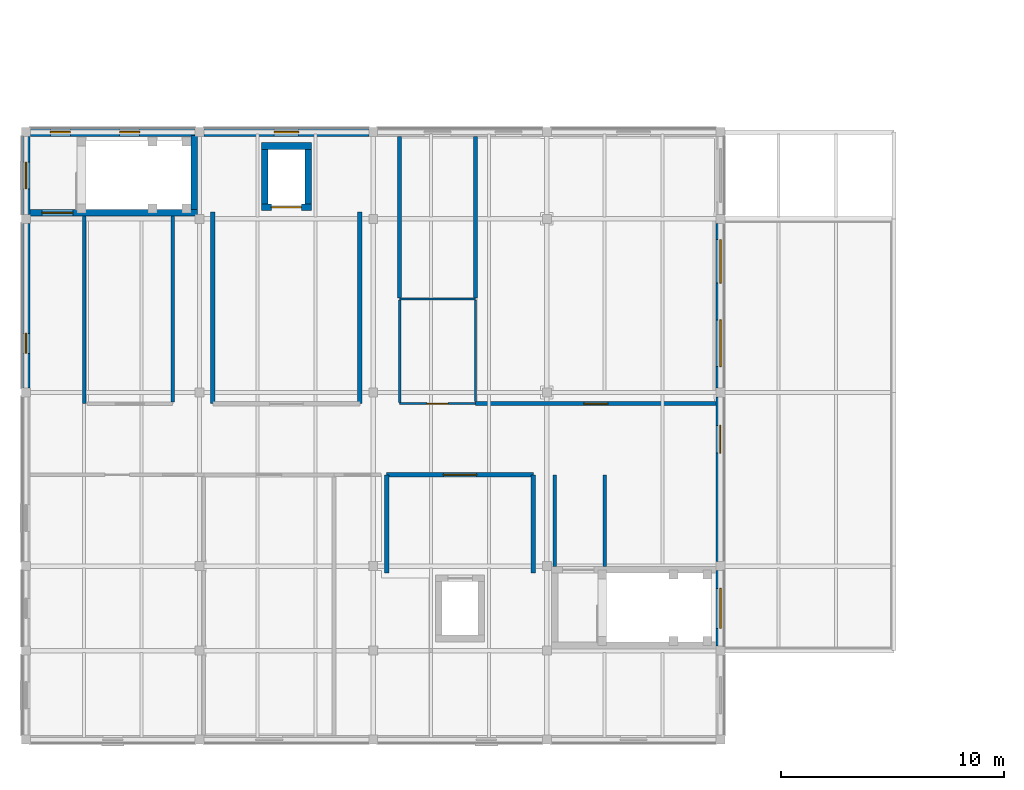
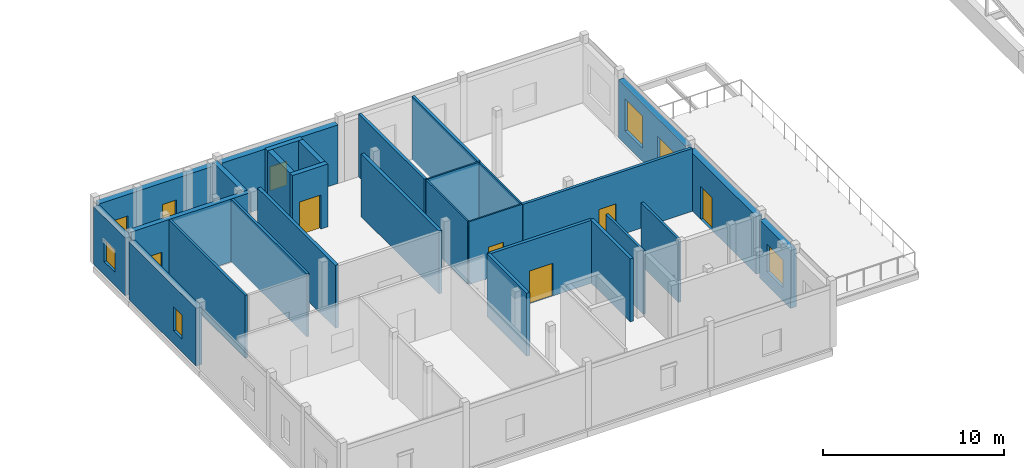
# One storey, part 35 of 45: 29 walls, 8 windows, 6 doors, 14 openings.
"""IFC4 building model written with IfcOpenShell, lengths in metres."""

from ifc_helpers import new_model, si_unit, direction, frame, frame_2d, origin, place, context, subcontext, project, spatial, rectangle, extrude, material, layer, layer_set, type_object, element, fill, save


model = new_model("IFC4")

# Units and contexts
model_context = context("Model", 3, precision=1e-05, world=origin(), true_north=direction((0.0, 1.0)))
body_context = subcontext(model_context, "Body", "Model", "MODEL_VIEW")
ifc_project = project(units=[si_unit("LENGTHUNIT", "METRE"), si_unit("AREAUNIT", "SQUARE_METRE"), si_unit("VOLUMEUNIT", "CUBIC_METRE"), si_unit("PLANEANGLEUNIT", "RADIAN"), si_unit("MASSUNIT", "GRAM", prefix="KILO")], contexts=[model_context])

# Site, building, storey
site_placement = place(None, origin())
site = spatial("IfcSite", under=ifc_project, at=site_placement, CompositionType="ELEMENT")
building_placement = place(site_placement, origin())
building = spatial("IfcBuilding", under=site, at=building_placement, Name="Celorna Specialist Clinic", CompositionType="ELEMENT")
storey_placement = place(building_placement, frame((0.0, 0.0, 18.60009765625)))
storey = spatial("IfcBuildingStorey", under=building, at=storey_placement, Name="L04", CompositionType="ELEMENT", Elevation=18.60009765625)

# Wall, openings, windows
ifc_material_1 = material(Name="Terracotta masonry with insulated cavity", Category="masonry")
ifc_layer_1 = layer(ifc_material_1, 0.3798828125, Name="Terracotta masonry with insulated cavity")
ifc_layer_set_1 = layer_set([ifc_layer_1], Name="Terracotta masonry with insulated cavity")
wall_type_1 = type_object("IfcWallType", Name="WT-06", PredefinedType="STANDARD", material=ifc_layer_set_1)
wall_1_placement = place(storey_placement, frame((0.199951171875, 27.300048828125, 0.0), z_axis=(0.0, 0.0, 1.0), x_axis=(1.0, 0.0, 0.0)))
wall_1 = element("IfcWall", 1, at=wall_1_placement, inside=storey, type_object=wall_type_1, Name="External facade wall WT-06 #364", PredefinedType="STANDARD", context=body_context, shape_type="SweptSolid", body=[
    extrude(rectangle(XDim=7.400146484375, YDim=0.3798828125, at=frame_2d((3.7001953125, 0.0))), origin(), (0.0, 0.0, 1.0), 3.949951171875),
])
opening_1_placement = place(wall_1_placement, frame((0.89501953125, 0.0, 0.89990234375)))
opening_1 = element("IfcOpeningElement", 2, at=opening_1_placement, cuts=wall_1, Name="Opening WN-01", PredefinedType="OPENING", context=body_context, shape_type="SweptSolid", body=[
    extrude(rectangle(XDim=0.89990234375, YDim=1.60009765625, at=frame_2d((0.449951171875, 0.800048828125))), frame((0.0, 0.199951171875, 0.0), z_axis=(0.0, -1.0, 0.0), x_axis=(1.0, 0.0, 0.0)), (0.0, 0.0, 1.0), 0.39990234375),
])
opening_2_placement = place(wall_1_placement, frame((4.010009765625, 0.0, 0.89990234375)))
opening_2 = element("IfcOpeningElement", 3, at=opening_2_placement, cuts=wall_1, Name="Opening WN-01", PredefinedType="OPENING", context=body_context, shape_type="SweptSolid", body=[
    extrude(rectangle(XDim=0.89990234375, YDim=1.60009765625, at=frame_2d((0.449951171875, 0.800048828125))), frame((0.0, 0.199951171875, 0.0), z_axis=(0.0, -1.0, 0.0), x_axis=(1.0, 0.0, 0.0)), (0.0, 0.0, 1.0), 0.39990234375),
])
ifc_material_2 = material(Name="Thermally broken aluminium triple-glazed window", Category="aluminium")
window_type_1 = type_object("IfcWindowType", Name="WN-01", PartitioningType="SINGLE_PANEL", PredefinedType="WINDOW", material=ifc_material_2)
window_1_placement = place(opening_1_placement, origin())
window_1 = element("IfcWindow", 4, at=window_1_placement, inside=storey, type_object=window_type_1, Name="Facade window WN-01 #228", OverallHeight=1.60009765625, OverallWidth=0.89990234375, PartitioningType="SINGLE_PANEL", PredefinedType="WINDOW", context=body_context, shape_type="SweptSolid", body=[
    extrude(rectangle(XDim=0.89990234375, YDim=1.60009765625, at=frame_2d((0.449951171875, 0.800048828125))), frame((0.0, 0.030029296875, 0.0), z_axis=(0.0, -1.0, 0.0), x_axis=(1.0, 0.0, 0.0)), (0.0, 0.0, 1.0), 0.06005859375),
])
fill(opening_1, window_1)
window_2_placement = place(opening_2_placement, origin())
window_2 = element("IfcWindow", 5, at=window_2_placement, inside=storey, type_object=window_type_1, Name="Facade window WN-01 #229", OverallHeight=1.60009765625, OverallWidth=0.89990234375, PartitioningType="SINGLE_PANEL", PredefinedType="WINDOW", context=body_context, shape_type="SweptSolid", body=[
    extrude(rectangle(XDim=0.89990234375, YDim=1.60009765625, at=frame_2d((0.449951171875, 0.800048828125))), frame((0.0, 0.030029296875, 0.0), z_axis=(0.0, -1.0, 0.0), x_axis=(1.0, 0.0, 0.0)), (0.0, 0.0, 1.0), 0.06005859375),
])
fill(opening_2, window_2)

# Wall, opening, window
wall_2_placement = place(storey_placement, frame((8.0, 27.300048828125, 0.0), z_axis=(0.0, 0.0, 1.0), x_axis=(1.0, 0.0, 0.0)))
wall_2 = element("IfcWall", 6, at=wall_2_placement, inside=storey, type_object=wall_type_1, Name="External facade wall WT-06 #365", PredefinedType="STANDARD", context=body_context, shape_type="SweptSolid", body=[
    extrude(rectangle(XDim=7.39990234375, YDim=0.3798828125, at=frame_2d((3.699951171875, 0.0))), origin(), (0.0, 0.0, 1.0), 3.949951171875),
])
opening_3_placement = place(wall_2_placement, frame((3.14990234375, 0.0, 0.89990234375)))
opening_3 = element("IfcOpeningElement", 7, at=opening_3_placement, cuts=wall_2, Name="Opening WN-03", PredefinedType="OPENING", context=body_context, shape_type="SweptSolid", body=[
    extrude(rectangle(XDim=1.10009765625, YDim=1.60009765625, at=frame_2d((0.550048828125, 0.800048828125))), frame((0.0, 0.199951171875, 0.0), z_axis=(0.0, -1.0, 0.0), x_axis=(1.0, 0.0, 0.0)), (0.0, 0.0, 1.0), 0.39990234375),
])
window_type_2 = type_object("IfcWindowType", Name="WN-03", PartitioningType="SINGLE_PANEL", PredefinedType="WINDOW", material=ifc_material_2)
window_3_placement = place(opening_3_placement, origin())
window_3 = element("IfcWindow", 8, at=window_3_placement, inside=storey, type_object=window_type_2, Name="Facade window WN-03 #230", OverallHeight=1.60009765625, OverallWidth=1.10009765625, PartitioningType="SINGLE_PANEL", PredefinedType="WINDOW", context=body_context, shape_type="SweptSolid", body=[
    extrude(rectangle(XDim=1.10009765625, YDim=1.60009765625, at=frame_2d((0.550048828125, 0.800048828125))), frame((0.0, 0.030029296875, 0.0), z_axis=(0.0, -1.0, 0.0), x_axis=(1.0, 0.0, 0.0)), (0.0, 0.0, 1.0), 0.06005859375),
])
fill(opening_3, window_3)

wall_3_placement = place(storey_placement, frame((0.0, 15.800048828125, 0.0), z_axis=(0.0, 0.0, 1.0), x_axis=(0.0, 1.0, 0.0)))
wall_3 = element("IfcWall", 9, at=wall_3_placement, inside=storey, type_object=wall_type_1, Name="External facade wall WT-06 #371", PredefinedType="STANDARD", context=body_context, shape_type="SweptSolid", body=[
    extrude(rectangle(XDim=7.39990234375, YDim=0.3798828125, at=frame_2d((3.699951171875, 0.0))), origin(), (0.0, 0.0, 1.0), 3.89990234375),
])
opening_4_placement = place(wall_3_placement, frame((1.56005859375, 0.0, 0.89990234375)))
opening_4 = element("IfcOpeningElement", 10, at=opening_4_placement, cuts=wall_3, Name="Opening WN-01", PredefinedType="OPENING", context=body_context, shape_type="SweptSolid", body=[
    extrude(rectangle(XDim=0.89990234375, YDim=1.60009765625, at=frame_2d((0.449951171875, 0.800048828125))), frame((0.0, 0.199951171875, 0.0), z_axis=(0.0, -1.0, 0.0), x_axis=(1.0, 0.0, 0.0)), (0.0, 0.0, 1.0), 0.39990234375),
])
window_4_placement = place(opening_4_placement, origin())
window_4 = element("IfcWindow", 11, at=window_4_placement, inside=storey, type_object=window_type_1, Name="Facade window WN-01 #237", OverallHeight=1.60009765625, OverallWidth=0.89990234375, PartitioningType="SINGLE_PANEL", PredefinedType="WINDOW", context=body_context, shape_type="SweptSolid", body=[
    extrude(rectangle(XDim=0.89990234375, YDim=1.60009765625, at=frame_2d((0.449951171875, 0.800048828125))), frame((0.0, 0.030029296875, 0.0), z_axis=(0.0, -1.0, 0.0), x_axis=(1.0, 0.0, 0.0)), (0.0, 0.0, 1.0), 0.06005859375),
])
fill(opening_4, window_4)

wall_4_placement = place(storey_placement, frame((0.0, 23.60009765625, 0.0), z_axis=(0.0, 0.0, 1.0), x_axis=(0.0, 1.0, 0.0)))
wall_4 = element("IfcWall", 12, at=wall_4_placement, inside=storey, type_object=wall_type_1, Name="External facade wall WT-06 #372", PredefinedType="STANDARD", context=body_context, shape_type="SweptSolid", body=[
    extrude(rectangle(XDim=3.5, YDim=0.3798828125, at=frame_2d((1.75, 0.0))), origin(), (0.0, 0.0, 1.0), 3.89990234375),
])
opening_5_placement = place(wall_4_placement, frame((1.14990234375, 0.0, 0.89990234375)))
opening_5 = element("IfcOpeningElement", 13, at=opening_5_placement, cuts=wall_4, Name="Opening WN-04", PredefinedType="OPENING", context=body_context, shape_type="SweptSolid", body=[
    extrude(rectangle(XDim=1.199951171875, YDim=1.5, at=frame_2d((0.60009765625, 0.75))), frame((0.0, 0.199951171875, 0.0), z_axis=(0.0, -1.0, 0.0), x_axis=(1.0, 0.0, 0.0)), (0.0, 0.0, 1.0), 0.39990234375),
])
window_type_3 = type_object("IfcWindowType", Name="WN-04", PartitioningType="SINGLE_PANEL", PredefinedType="WINDOW", material=ifc_material_2)
window_5_placement = place(opening_5_placement, origin())
window_5 = element("IfcWindow", 14, at=window_5_placement, inside=storey, type_object=window_type_3, Name="Facade window WN-04 #238", OverallHeight=1.5, OverallWidth=1.199951171875, PartitioningType="SINGLE_PANEL", PredefinedType="WINDOW", context=body_context, shape_type="SweptSolid", body=[
    extrude(rectangle(XDim=1.199951171875, YDim=1.5, at=frame_2d((0.60009765625, 0.75))), frame((0.0, 0.030029296875, 0.0), z_axis=(0.0, -1.0, 0.0), x_axis=(1.0, 0.0, 0.0)), (0.0, 0.0, 1.0), 0.06005859375),
])
fill(opening_5, window_5)

wall_5_placement = place(storey_placement, frame((31.199951171875, 7.60009765625, 0.0), z_axis=(0.0, 0.0, 1.0), x_axis=(0.0, -1.0, 0.0)))
wall_5 = element("IfcWall", 15, at=wall_5_placement, inside=storey, type_object=wall_type_1, Name="External facade wall WT-06 #374", PredefinedType="STANDARD", context=body_context, shape_type="SweptSolid", body=[
    extrude(rectangle(XDim=3.400146484375, YDim=0.3798828125, at=frame_2d((1.7001953125, 0.0))), origin(), (0.0, 0.0, 1.0), 3.89990234375),
])
opening_6_placement = place(wall_5_placement, frame((0.800048828125, 0.0, 0.89990234375)))
opening_6 = element("IfcOpeningElement", 16, at=opening_6_placement, cuts=wall_5, Name="Opening WN-13", PredefinedType="OPENING", context=body_context, shape_type="SweptSolid", body=[
    extrude(rectangle(XDim=1.800048828125, YDim=1.85009765625, at=frame_2d((0.89990234375, 0.925048828125))), frame((0.0, 0.199951171875, 0.0), z_axis=(0.0, -1.0, 0.0), x_axis=(1.0, 0.0, 0.0)), (0.0, 0.0, 1.0), 0.39990234375),
])
window_type_4 = type_object("IfcWindowType", Name="WN-13", PartitioningType="SINGLE_PANEL", PredefinedType="WINDOW", material=ifc_material_2)
window_6_placement = place(opening_6_placement, origin())
window_6 = element("IfcWindow", 17, at=window_6_placement, inside=storey, type_object=window_type_4, Name="Facade window WN-13 #240", OverallHeight=1.85009765625, OverallWidth=1.800048828125, PartitioningType="SINGLE_PANEL", PredefinedType="WINDOW", context=body_context, shape_type="SweptSolid", body=[
    extrude(rectangle(XDim=1.800048828125, YDim=1.85009765625, at=frame_2d((0.89990234375, 0.925048828125))), frame((0.0, 0.030029296875, 0.0), z_axis=(0.0, -1.0, 0.0), x_axis=(1.0, 0.0, 0.0)), (0.0, 0.0, 1.0), 0.06005859375),
])
fill(opening_6, window_6)

# Wall, opening, door
wall_6_placement = place(storey_placement, frame((31.199951171875, 15.39990234375, 0.0), z_axis=(0.0, 0.0, 1.0), x_axis=(0.0, -1.0, 0.0)))
wall_6 = element("IfcWall", 18, at=wall_6_placement, inside=storey, type_object=wall_type_1, Name="External facade wall WT-06 #375", PredefinedType="STANDARD", context=body_context, shape_type="SweptSolid", body=[
    extrude(rectangle(XDim=7.39990234375, YDim=0.3798828125, at=frame_2d((3.699951171875, 0.0))), origin(), (0.0, 0.0, 1.0), 3.89990234375),
])
opening_7_placement = place(wall_6_placement, frame((1.27490234375, 0.0, 0.0)))
opening_7 = element("IfcOpeningElement", 19, at=opening_7_placement, cuts=wall_6, Name="Opening DR-13", PredefinedType="OPENING", context=body_context, shape_type="SweptSolid", body=[
    extrude(rectangle(XDim=1.25, YDim=2.199951171875, at=frame_2d((0.625, 1.10009765625))), frame((0.0, 0.199951171875, 0.0), z_axis=(0.0, -1.0, 0.0), x_axis=(1.0, 0.0, 0.0)), (0.0, 0.0, 1.0), 0.39990234375),
])
ifc_material_3 = material(Name="Thermally broken glazed terrace door")
door_type_1 = type_object("IfcDoorType", Name="DR-13", OperationType="NOTDEFINED", PredefinedType="DOOR", material=ifc_material_3)
door_1_placement = place(opening_7_placement, frame((1.25, 0.0, 0.0), z_axis=(0.0, 0.0, 1.0), x_axis=(-1.0, 0.0, 0.0)))
door_1 = element("IfcDoor", 20, at=door_1_placement, inside=storey, type_object=door_type_1, Name="Terrace access door TER-V5-L04", OperationType="SINGLE_SWING_LEFT", OverallHeight=2.199951171875, OverallWidth=1.25, PredefinedType="DOOR", context=body_context, shape_type="SweptSolid", body=[
    extrude(rectangle(XDim=1.25, YDim=2.199951171875, at=frame_2d((0.625, 1.10009765625))), frame((0.0, 0.02490234375, 0.0), z_axis=(0.0, -1.0, 0.0), x_axis=(1.0, 0.0, 0.0)), (0.0, 0.0, 1.0), 0.050048828125),
])
fill(opening_7, door_1)

# Wall, openings, windows
wall_7_placement = place(storey_placement, frame((31.199951171875, 23.199951171875, 0.0), z_axis=(0.0, 0.0, 1.0), x_axis=(0.0, -1.0, 0.0)))
wall_7 = element("IfcWall", 21, at=wall_7_placement, inside=storey, type_object=wall_type_1, Name="External facade wall WT-06 #376", PredefinedType="STANDARD", context=body_context, shape_type="SweptSolid", body=[
    extrude(rectangle(XDim=7.39990234375, YDim=0.3798828125, at=frame_2d((3.699951171875, 0.0))), origin(), (0.0, 0.0, 1.0), 3.89990234375),
])
opening_8_placement = place(wall_7_placement, frame((0.735107421875, 0.0, 0.89990234375)))
opening_8 = element("IfcOpeningElement", 22, at=opening_8_placement, cuts=wall_7, Name="Opening WN-16", PredefinedType="OPENING", context=body_context, shape_type="SweptSolid", body=[
    extrude(rectangle(XDim=1.949951171875, YDim=2.14990234375, at=frame_2d((0.97509765625, 1.074951171875))), frame((0.0, 0.199951171875, 0.0), z_axis=(0.0, -1.0, 0.0), x_axis=(1.0, 0.0, 0.0)), (0.0, 0.0, 1.0), 0.39990234375),
])
opening_9_placement = place(wall_7_placement, frame((4.340087890625, 0.0, 0.89990234375)))
opening_9 = element("IfcOpeningElement", 23, at=opening_9_placement, cuts=wall_7, Name="Opening WN-17", PredefinedType="OPENING", context=body_context, shape_type="SweptSolid", body=[
    extrude(rectangle(XDim=2.10009765625, YDim=1.800048828125, at=frame_2d((1.050048828125, 0.89990234375))), frame((0.0, 0.199951171875, 0.0), z_axis=(0.0, -1.0, 0.0), x_axis=(1.0, 0.0, 0.0)), (0.0, 0.0, 1.0), 0.39990234375),
])
ifc_material_4 = material(Name="Screen-aligned modular clinic window")
window_type_5 = type_object("IfcWindowType", Name="WN-16", PartitioningType="SINGLE_PANEL", PredefinedType="WINDOW", material=ifc_material_4)
window_7_placement = place(opening_8_placement, origin())
window_7 = element("IfcWindow", 24, at=window_7_placement, inside=storey, type_object=window_type_5, Name="Facade window WN-16 #241", OverallHeight=2.14990234375, OverallWidth=1.949951171875, PartitioningType="SINGLE_PANEL", PredefinedType="WINDOW", context=body_context, shape_type="SweptSolid", body=[
    extrude(rectangle(XDim=1.949951171875, YDim=2.14990234375, at=frame_2d((0.97509765625, 1.074951171875))), frame((0.0, 0.030029296875, 0.0), z_axis=(0.0, -1.0, 0.0), x_axis=(1.0, 0.0, 0.0)), (0.0, 0.0, 1.0), 0.06005859375),
])
fill(opening_8, window_7)
ifc_material_5 = material(Name="Outpatient waiting bay window")
window_type_6 = type_object("IfcWindowType", Name="WN-17", PartitioningType="SINGLE_PANEL", PredefinedType="WINDOW", material=ifc_material_5)
window_8_placement = place(opening_9_placement, origin())
window_8 = element("IfcWindow", 25, at=window_8_placement, inside=storey, type_object=window_type_6, Name="Facade window WN-17 #242", OverallHeight=1.800048828125, OverallWidth=2.10009765625, PartitioningType="SINGLE_PANEL", PredefinedType="WINDOW", context=body_context, shape_type="SweptSolid", body=[
    extrude(rectangle(XDim=2.10009765625, YDim=1.800048828125, at=frame_2d((1.050048828125, 0.89990234375))), frame((0.0, 0.030029296875, 0.0), z_axis=(0.0, -1.0, 0.0), x_axis=(1.0, 0.0, 0.0)), (0.0, 0.0, 1.0), 0.06005859375),
])
fill(opening_9, window_8)

# Wall, opening, door
ifc_material_6 = material(Name="Concrete C35/45", Category="concrete")
ifc_layer_2 = layer(ifc_material_6, 0.300048828125, Name="Concrete C35/45")
ifc_layer_set_2 = layer_set([ifc_layer_2], Name="Concrete C35/45")
wall_type_2 = type_object("IfcWallType", Name="WT-08", PredefinedType="SHEAR", material=ifc_layer_set_2)
wall_8_placement = place(storey_placement, frame((0.14990234375, 23.669921875, 0.0), z_axis=(0.0, 0.0, 1.0), x_axis=(1.0, 0.0, 0.0)))
wall_8 = element("IfcWall", 26, at=wall_8_placement, inside=storey, type_object=wall_type_2, Name="Stair ST-04 RC core wall L04 south", PredefinedType="SHEAR", context=body_context, shape_type="SweptSolid", body=[
    extrude(rectangle(XDim=7.56005859375, YDim=0.300048828125, at=frame_2d((3.780029296875, 0.0))), origin(), (0.0, 0.0, 1.0), 4.239990234375),
])
opening_10_placement = place(wall_8_placement, frame((0.56005859375, 0.0, 0.0)))
opening_10 = element("IfcOpeningElement", 27, at=opening_10_placement, cuts=wall_8, Name="Opening DR-10", PredefinedType="OPENING", context=body_context, shape_type="SweptSolid", body=[
    extrude(rectangle(XDim=1.39990234375, YDim=2.199951171875, at=frame_2d((0.699951171875, 1.10009765625))), frame((0.0, 0.159912109375, 0.0), z_axis=(0.0, -1.0, 0.0), x_axis=(1.0, 0.0, 0.0)), (0.0, 0.0, 1.0), 0.320068359375),
])
ifc_material_7 = material(Name="Protected exit stair fire door")
door_type_2 = type_object("IfcDoorType", Name="DR-10", OperationType="NOTDEFINED", PredefinedType="DOOR", material=ifc_material_7)
door_2_placement = place(opening_10_placement, origin())
door_2 = element("IfcDoor", 28, at=door_2_placement, inside=storey, type_object=door_type_2, Name="Protected exit stair door ST-04 L04", OperationType="SINGLE_SWING_LEFT", OverallHeight=2.199951171875, OverallWidth=1.39990234375, PredefinedType="DOOR", context=body_context, shape_type="SweptSolid", body=[
    extrude(rectangle(XDim=1.39990234375, YDim=2.199951171875, at=frame_2d((0.699951171875, 1.10009765625))), frame((0.0, 0.02490234375, 0.0), z_axis=(0.0, -1.0, 0.0), x_axis=(1.0, 0.0, 0.0)), (0.0, 0.0, 1.0), 0.050048828125),
])
fill(opening_10, door_2)

# Wall
wall_9_placement = place(storey_placement, frame((7.56005859375, 23.820068359375, 0.0), z_axis=(0.0, 0.0, 1.0), x_axis=(0.0, 1.0, 0.0)))
element("IfcWall", 29, at=wall_9_placement, inside=storey, type_object=wall_type_2, Name="Stair ST-04 RC core wall L04 east", PredefinedType="SHEAR", context=body_context, shape_type="SweptSolid", body=[
    extrude(rectangle(XDim=3.329833984375, YDim=0.300048828125, at=frame_2d((1.6650390625, 0.0))), origin(), (0.0, 0.0, 1.0), 4.239990234375),
])

# Wall, opening, door
wall_10_placement = place(storey_placement, frame((10.574951171875, 23.925048828125, 0.0), z_axis=(0.0, 0.0, 1.0), x_axis=(1.0, 0.0, 0.0)))
wall_10 = element("IfcWall", 30, at=wall_10_placement, inside=storey, type_object=wall_type_2, Name="Lift LF-04 RC shaft wall L04", PredefinedType="SHEAR", context=body_context, shape_type="SweptSolid", body=[
    extrude(rectangle(XDim=2.25, YDim=0.300048828125, at=frame_2d((1.125, 0.0))), origin(), (0.0, 0.0, 1.0), 4.239990234375),
])
opening_11_placement = place(wall_10_placement, frame((0.449951171875, 0.0, 0.0)))
opening_11 = element("IfcOpeningElement", 31, at=opening_11_placement, cuts=wall_10, Name="Opening LD-02", PredefinedType="OPENING", context=body_context, shape_type="SweptSolid", body=[
    extrude(rectangle(XDim=1.35009765625, YDim=2.300048828125, at=frame_2d((0.675048828125, 1.14990234375))), frame((0.0, 0.159912109375, 0.0), z_axis=(0.0, -1.0, 0.0), x_axis=(1.0, 0.0, 0.0)), (0.0, 0.0, 1.0), 0.320068359375),
])
ifc_material_8 = material(Name="Firefighting stretcher lift landing sliding door")
door_type_3 = type_object("IfcDoorType", Name="LD-02", OperationType="DOUBLE_DOOR_SLIDING", PredefinedType="DOOR", material=ifc_material_8)
door_3_placement = place(opening_11_placement, origin())
door_3 = element("IfcDoor", 32, at=door_3_placement, inside=storey, type_object=door_type_3, Name="Lift LF-04 sliding landing door L04", OperationType="DOUBLE_DOOR_SLIDING", OverallHeight=2.300048828125, OverallWidth=1.35009765625, PredefinedType="DOOR", context=body_context, shape_type="SweptSolid", body=[
    extrude(rectangle(XDim=1.35009765625, YDim=2.300048828125, at=frame_2d((0.675048828125, 1.14990234375))), frame((0.0, 0.02490234375, 0.0), z_axis=(0.0, -1.0, 0.0), x_axis=(1.0, 0.0, 0.0)), (0.0, 0.0, 1.0), 0.050048828125),
])
fill(opening_11, door_3)

# Walls
wall_11_placement = place(storey_placement, frame((12.824951171875, 26.675048828125, 0.0), z_axis=(0.0, 0.0, 1.0), x_axis=(-1.0, 0.0, 0.0)))
element("IfcWall", 33, at=wall_11_placement, inside=storey, type_object=wall_type_2, Name="Lift LF-04 RC shaft wall L04", PredefinedType="SHEAR", context=body_context, shape_type="SweptSolid", body=[
    extrude(rectangle(XDim=2.25, YDim=0.300048828125, at=frame_2d((1.125, 0.0))), origin(), (0.0, 0.0, 1.0), 4.239990234375),
])
for number, where, z_axis, x_axis, name in (
    (34, (10.72509765625, 26.52490234375, 0.0), (0.0, 0.0, 1.0), (0.0, -1.0, 0.0), "Lift LF-04 RC shaft wall L04"),
    (35, (12.675048828125, 24.074951171875, 0.0), (0.0, 0.0, 1.0), (0.0, 1.0, 0.0), "Lift LF-04 RC shaft wall L04"),
):
    element("IfcWall", number, at=place(storey_placement, frame(where, z_axis=z_axis, x_axis=x_axis)), inside=storey, type_object=wall_type_2, Name=name, PredefinedType="SHEAR", context=body_context, shape_type="SweptSolid", body=[
        extrude(rectangle(XDim=2.449951171875, YDim=0.300048828125, at=frame_2d((1.22509765625, 0.0))), origin(), (0.0, 0.0, 1.0), 4.239990234375),
    ])
ifc_layer_3 = layer(ifc_material_6, 0.199951171875, Name="Concrete C35/45")
ifc_layer_set_3 = layer_set([ifc_layer_3], Name="Concrete C35/45")
wall_type_3 = type_object("IfcWallType", Name="WT-12", PredefinedType="SOLIDWALL", material=ifc_layer_set_3)
for number, where, z_axis, x_axis, name in (
    (36, (8.39990234375, 23.699951171875, 0.0), (0.0, 0.0, 1.0), (0.0, -1.0, 0.0), "Firefighting lobby wall LF-04 L04"),
    (37, (15.0, 15.10009765625, 0.0), (0.0, 0.0, 1.0), (0.0, 1.0, 0.0), "Firefighting lobby wall LF-04 L04"),
):
    element("IfcWall", number, at=place(storey_placement, frame(where, z_axis=z_axis, x_axis=x_axis)), inside=storey, type_object=wall_type_3, Name=name, PredefinedType="SOLIDWALL", context=body_context, shape_type="SweptSolid", body=[
        extrude(rectangle(XDim=8.599853515625, YDim=0.199951171875, at=frame_2d((4.2998046875, 0.0))), origin(), (0.0, 0.0, 1.0), 4.239990234375),
    ])

# Wall, opening, door
wall_12_placement = place(storey_placement, frame((22.800048828125, 11.89990234375, 0.0), z_axis=(0.0, 0.0, 1.0), x_axis=(-1.0, 0.0, 0.0)))
wall_12 = element("IfcWall", 38, at=wall_12_placement, inside=storey, type_object=wall_type_3, Name="Lift lobby wall LF-05 L04", PredefinedType="SOLIDWALL", context=body_context, shape_type="SweptSolid", body=[
    extrude(rectangle(XDim=6.60009765625, YDim=0.199951171875, at=frame_2d((3.300048828125, 0.0))), origin(), (0.0, 0.0, 1.0), 4.239990234375),
])
opening_12_placement = place(wall_12_placement, frame((2.550048828125, 0.0, 0.0)))
opening_12 = element("IfcOpeningElement", 39, at=opening_12_placement, cuts=wall_12, Name="Opening DR-11", PredefinedType="OPENING", context=body_context, shape_type="SweptSolid", body=[
    extrude(rectangle(XDim=1.5, YDim=2.199951171875, at=frame_2d((0.75, 1.10009765625))), frame((0.0, 0.10986328125, 0.0), z_axis=(0.0, -1.0, 0.0), x_axis=(1.0, 0.0, 0.0)), (0.0, 0.0, 1.0), 0.219970703125),
])
ifc_material_9 = material(Name="Firefighting lobby double fire door")
door_type_4 = type_object("IfcDoorType", Name="DR-11", OperationType="DOUBLE_DOOR_SINGLE_SWING", PredefinedType="DOOR", material=ifc_material_9)
door_4_placement = place(opening_12_placement, origin())
door_4 = element("IfcDoor", 40, at=door_4_placement, inside=storey, type_object=door_type_4, Name="Lift lobby fire door LF-05 L04", OperationType="DOUBLE_DOOR_SINGLE_SWING", OverallHeight=2.199951171875, OverallWidth=1.5, PredefinedType="DOOR", context=body_context, shape_type="SweptSolid", body=[
    extrude(rectangle(XDim=1.5, YDim=2.199951171875, at=frame_2d((0.75, 1.10009765625))), frame((0.0, 0.02490234375, 0.0), z_axis=(0.0, -1.0, 0.0), x_axis=(1.0, 0.0, 0.0)), (0.0, 0.0, 1.0), 0.050048828125),
])
fill(opening_12, door_4)

# Walls
for number, where, z_axis, x_axis, name in (
    (41, (16.199951171875, 11.89990234375, 0.0), (0.0, 0.0, 1.0), (0.0, -1.0, 0.0), "Lift lobby wall LF-05 L04"),
    (42, (22.800048828125, 7.5, 0.0), (0.0, 0.0, 1.0), (0.0, 1.0, 0.0), "Lift lobby wall LF-05 L04"),
):
    element("IfcWall", number, at=place(storey_placement, frame(where, z_axis=z_axis, x_axis=x_axis)), inside=storey, type_object=wall_type_3, Name=name, PredefinedType="SOLIDWALL", context=body_context, shape_type="SweptSolid", body=[
        extrude(rectangle(XDim=4.39990234375, YDim=0.199951171875, at=frame_2d((2.199951171875, 0.0))), origin(), (0.0, 0.0, 1.0), 4.239990234375),
    ])

# Wall, opening, door
ifc_material_10 = material(Name="Acoustic masonry clinical partition", Category="masonry")
ifc_layer_4 = layer(ifc_material_10, 0.179931640625, Name="Acoustic masonry clinical partition")
ifc_layer_set_4 = layer_set([ifc_layer_4], Name="Acoustic masonry clinical partition")
wall_type_4 = type_object("IfcWallType", Name="WT-13", PredefinedType="PARTITIONING", material=ifc_layer_set_4)
wall_13_placement = place(storey_placement, frame((20.18994140625, 15.10009765625, 0.0), z_axis=(0.0, 0.0, 1.0), x_axis=(1.0, 0.0, 0.0)))
wall_13 = element("IfcWall", 43, at=wall_13_placement, inside=storey, type_object=wall_type_4, Name="Interior partition WT-13 L04-029", PredefinedType="PARTITIONING", context=body_context, shape_type="SweptSolid", body=[
    extrude(rectangle(XDim=10.820068359375, YDim=0.179931640625, at=frame_2d((5.41015625, 0.0))), origin(), (0.0, 0.0, 1.0), 4.239990234375),
])
opening_13_placement = place(wall_13_placement, frame((4.8701171875, 0.0, 0.0)))
opening_13 = element("IfcOpeningElement", 44, at=opening_13_placement, cuts=wall_13, Name="Opening DR-21", PredefinedType="OPENING", context=body_context, shape_type="SweptSolid", body=[
    extrude(rectangle(XDim=1.080078125, YDim=2.199951171875, at=frame_2d((0.5400390625, 1.10009765625))), frame((0.0, 0.099853515625, 0.0), z_axis=(0.0, -1.0, 0.0), x_axis=(1.0, 0.0, 0.0)), (0.0, 0.0, 1.0), 0.199951171875),
])
ifc_material_11 = material(Name="Timber outpatient suite door", Category="wood")
door_type_5 = type_object("IfcDoorType", Name="DR-21", OperationType="NOTDEFINED", PredefinedType="DOOR", material=ifc_material_11)
door_5_placement = place(opening_13_placement, origin())
door_5 = element("IfcDoor", 45, at=door_5_placement, inside=storey, type_object=door_type_5, Name="Investigational Medicinal Product Dispensary door L04-029", OperationType="SINGLE_SWING_RIGHT", OverallHeight=2.199951171875, OverallWidth=1.080078125, PredefinedType="DOOR", context=body_context, shape_type="SweptSolid", body=[
    extrude(rectangle(XDim=1.080078125, YDim=2.199951171875, at=frame_2d((0.5400390625, 1.10009765625))), frame((0.0, 0.02490234375, 0.0), z_axis=(0.0, -1.0, 0.0), x_axis=(1.0, 0.0, 0.0)), (0.0, 0.0, 1.0), 0.050048828125),
])
fill(opening_13, door_5)

# Walls
for number, where, z_axis, x_axis, name in (
    (46, (20.18994140625, 19.85009765625, 0.0), (0.0, 0.0, 1.0), (0.0, 1.0, 0.0), "Room dividing partition WT-13 L04-029"),
    (47, (16.7900390625, 19.85009765625, 0.0), (0.0, 0.0, 1.0), (0.0, 1.0, 0.0), "Room dividing partition WT-13 L04-029"),
):
    element("IfcWall", number, at=place(storey_placement, frame(where, z_axis=z_axis, x_axis=x_axis)), inside=storey, type_object=wall_type_4, Name=name, PredefinedType="PARTITIONING", context=body_context, shape_type="SweptSolid", body=[
        extrude(rectangle(XDim=7.260009765625, YDim=0.179931640625, at=frame_2d((3.6298828125, 0.0))), origin(), (0.0, 0.0, 1.0), 4.239990234375),
    ])
ifc_material_12 = material(Name="Fire-rated gypsum board partition")
ifc_layer_5 = layer(ifc_material_12, 0.14990234375, Name="Fire-rated gypsum board partition")
ifc_layer_set_5 = layer_set([ifc_layer_5], Name="Fire-rated gypsum board partition")
wall_type_5 = type_object("IfcWallType", Name="WT-14", PredefinedType="PARTITIONING", material=ifc_layer_set_5)
wall_14_placement = place(storey_placement, frame((2.610107421875, 15.10009765625, 0.0), z_axis=(0.0, 0.0, 1.0), x_axis=(0.0, 1.0, 0.0)))
element("IfcWall", 48, at=wall_14_placement, inside=storey, type_object=wall_type_5, Name="Corridor spur partition WT-14", PredefinedType="PARTITIONING", context=body_context, shape_type="SweptSolid", body=[
    extrude(rectangle(XDim=8.419921875, YDim=0.14990234375, at=frame_2d((4.2099609375, 0.0))), origin(), (0.0, 0.0, 1.0), 4.239990234375),
])
for number, where, z_axis, x_axis, name in (
    (49, (23.760009765625, 7.780029296875, 0.0), (0.0, 0.0, 1.0), (0.0, 1.0, 0.0), "Corridor spur partition WT-14"),
    (50, (26.010009765625, 7.780029296875, 0.0), (0.0, 0.0, 1.0), (0.0, 1.0, 0.0), "Corridor spur partition WT-14"),
):
    element("IfcWall", number, at=place(storey_placement, frame(where, z_axis=z_axis, x_axis=x_axis)), inside=storey, type_object=wall_type_5, Name=name, PredefinedType="PARTITIONING", context=body_context, shape_type="SweptSolid", body=[
        extrude(rectangle(XDim=4.119873046875, YDim=0.14990234375, at=frame_2d((2.06005859375, 0.0))), origin(), (0.0, 0.0, 1.0), 4.239990234375),
    ])
wall_15_placement = place(storey_placement, frame((6.590087890625, 15.175048828125, 0.0), z_axis=(0.0, 0.0, 1.0), x_axis=(0.0, 1.0, 0.0)))
element("IfcWall", 51, at=wall_15_placement, inside=storey, type_object=wall_type_5, Name="Room dividing partition WT-14 L04-027", PredefinedType="PARTITIONING", context=body_context, shape_type="SweptSolid", body=[
    extrude(rectangle(XDim=8.344970703125, YDim=0.14990234375, at=frame_2d((4.17236328125, 0.0))), origin(), (0.0, 0.0, 1.0), 4.239990234375),
])

# Wall, opening, door
ifc_material_13 = material(Name="Moisture-resistant gypsum partition")
ifc_layer_6 = layer(ifc_material_13, 0.10009765625, Name="Moisture-resistant gypsum partition")
ifc_layer_set_6 = layer_set([ifc_layer_6], Name="Moisture-resistant gypsum partition")
wall_type_6 = type_object("IfcWallType", Name="WT-16", PredefinedType="PARTITIONING", material=ifc_layer_set_6)
wall_16_placement = place(storey_placement, frame((16.7900390625, 15.10009765625, 0.0), z_axis=(0.0, 0.0, 1.0), x_axis=(1.0, 0.0, 0.0)))
wall_16 = element("IfcWall", 52, at=wall_16_placement, inside=storey, type_object=wall_type_6, Name="Interior partition WT-16 L04-028", PredefinedType="PARTITIONING", context=body_context, shape_type="SweptSolid", body=[
    extrude(rectangle(XDim=3.39990234375, YDim=0.10009765625, at=frame_2d((1.699951171875, 0.0))), origin(), (0.0, 0.0, 1.0), 4.239990234375),
])
opening_14_placement = place(wall_16_placement, frame((1.22509765625, 0.0, 0.0)))
opening_14 = element("IfcOpeningElement", 53, at=opening_14_placement, cuts=wall_16, Name="Opening DR-03", PredefinedType="OPENING", context=body_context, shape_type="SweptSolid", body=[
    extrude(rectangle(XDim=0.949951171875, YDim=2.10009765625, at=frame_2d((0.47509765625, 1.050048828125))), frame((0.0, 0.06005859375, 0.0), z_axis=(0.0, -1.0, 0.0), x_axis=(1.0, 0.0, 0.0)), (0.0, 0.0, 1.0), 0.1201171875),
])
ifc_material_14 = material(Name="Moisture-resistant accessible WC door")
door_type_6 = type_object("IfcDoorType", Name="DR-03", OperationType="NOTDEFINED", PredefinedType="DOOR", material=ifc_material_14)
door_6_placement = place(opening_14_placement, origin())
door_6 = element("IfcDoor", 54, at=door_6_placement, inside=storey, type_object=door_type_6, Name="Patient En-Suite WC door L04-028", OperationType="SINGLE_SWING_LEFT", OverallHeight=2.10009765625, OverallWidth=0.949951171875, PredefinedType="DOOR", context=body_context, shape_type="SweptSolid", body=[
    extrude(rectangle(XDim=0.949951171875, YDim=2.10009765625, at=frame_2d((0.47509765625, 1.050048828125))), frame((0.0, 0.02490234375, 0.0), z_axis=(0.0, -1.0, 0.0), x_axis=(1.0, 0.0, 0.0)), (0.0, 0.0, 1.0), 0.050048828125),
])
fill(opening_14, door_6)

# Walls
wall_17_placement = place(storey_placement, frame((16.7900390625, 19.800048828125, 0.0), z_axis=(0.0, 0.0, 1.0), x_axis=(1.0, 0.0, 0.0)))
element("IfcWall", 55, at=wall_17_placement, inside=storey, type_object=wall_type_6, Name="Sanitary suite rear partition L04-028", PredefinedType="PARTITIONING", context=body_context, shape_type="SweptSolid", body=[
    extrude(rectangle(XDim=3.39990234375, YDim=0.10009765625, at=frame_2d((1.699951171875, 0.0))), origin(), (0.0, 0.0, 1.0), 4.239990234375),
])
wall_18_placement = place(storey_placement, frame((16.7900390625, 15.14990234375, 0.0), z_axis=(0.0, 0.0, 1.0), x_axis=(0.0, 1.0, 0.0)))
element("IfcWall", 56, at=wall_18_placement, inside=storey, type_object=wall_type_6, Name="Room dividing partition WT-16 L04-028", PredefinedType="PARTITIONING", context=body_context, shape_type="SweptSolid", body=[
    extrude(rectangle(XDim=4.60009765625, YDim=0.10009765625, at=frame_2d((2.300048828125, 0.0))), origin(), (0.0, 0.0, 1.0), 4.239990234375),
])
wall_19_placement = place(storey_placement, frame((20.18994140625, 15.18994140625, 0.0), z_axis=(0.0, 0.0, 1.0), x_axis=(0.0, 1.0, 0.0)))
element("IfcWall", 57, at=wall_19_placement, inside=storey, type_object=wall_type_6, Name="Room dividing partition WT-16 L04-028", PredefinedType="PARTITIONING", context=body_context, shape_type="SweptSolid", body=[
    extrude(rectangle(XDim=4.56005859375, YDim=0.10009765625, at=frame_2d((2.280029296875, 0.0))), origin(), (0.0, 0.0, 1.0), 4.239990234375),
])

save(model, "model.ifc")
